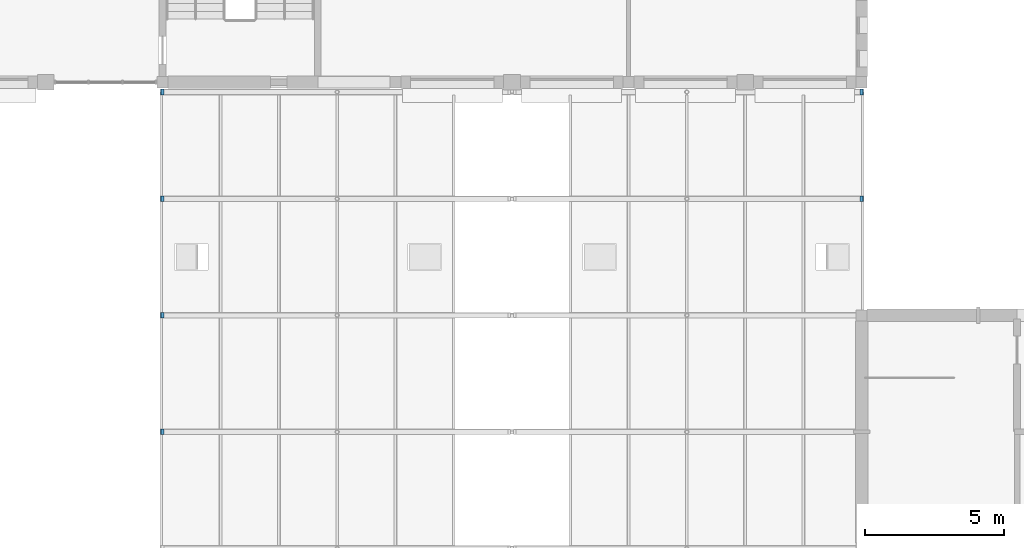
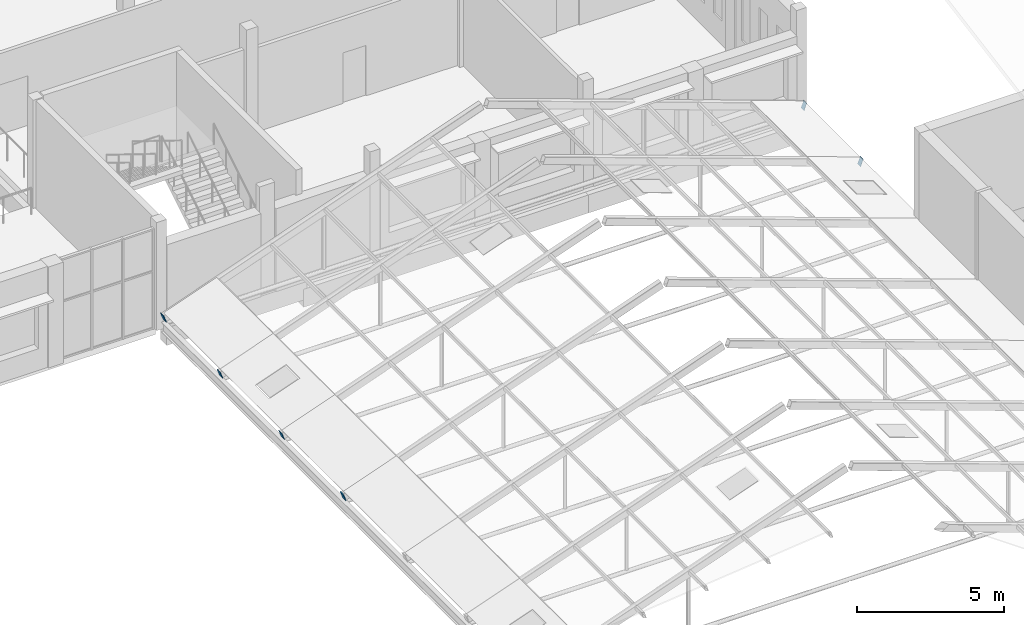
# One storey, part 108 of 116: 6 discrete accessories.
"""IFC4 building model written with IfcOpenShell, lengths in metres."""

import ifcopenshell
import ifcopenshell.guid

model = None  # the IFC model being written
_history = None  # IfcOwnerHistory: only IFC2X3 demands one
_inside = {}  # id of a spatial element -> (the spatial element, [elements in it])
_under = {}  # id of a project, library or spatial element -> (it, [spatial elements below it])
_declared = {}  # id of a project -> (the project, [libraries it declares])
_typed = {}  # id of a type object -> (the type object, [elements of that type])
_made_of = {}  # id of a material, layer set ... -> (it, [elements and type objects made of it])


def new_model(schema):
    """Start an empty IFC model of exactly this schema.

    Asked for "IFC4X3", IfcOpenShell would pick the latest addendum, in which some entities
    have other attributes; the version numbers below select the first issue.
    IFC2X3 requires an IfcOwnerHistory on every rooted entity: one is made here for all.
    """
    global model, _history
    if schema == "IFC4X3":
        model = ifcopenshell.file(schema_version=(4, 3, 0, 0))
    else:
        model = ifcopenshell.file(schema=schema)
    _inside.clear()
    _under.clear()
    _declared.clear()
    _typed.clear()
    _made_of.clear()
    _history = None
    if model.schema == "IFC2X3":
        org = make("IfcOrganization", Name="unknown")
        user = make(
            "IfcPersonAndOrganization",
            ThePerson=make("IfcPerson", FamilyName="unknown"),
            TheOrganization=org,
        )
        app = make(
            "IfcApplication",
            ApplicationDeveloper=org,
            Version="unknown",
            ApplicationFullName="unknown",
            ApplicationIdentifier="unknown",
        )
        _history = make(
            "IfcOwnerHistory",
            OwningUser=user,
            OwningApplication=app,
            ChangeAction="ADDED",
            CreationDate=0,
        )
    return model


def make(cls, **values):
    """One entity of the class cls with the attributes given. An attribute that is None is left unset."""
    return model.create_entity(
        cls, **{name: value for name, value in values.items() if value is not None}
    )


def rooted(cls, **values):
    """An entity with a GlobalId (a new one), such as an element, a storey or a relation."""
    return make(cls, GlobalId=ifcopenshell.guid.new(), OwnerHistory=_history, **values)


def si_unit(unit_type, name, prefix=None):
    """IfcSIUnit, for example si_unit("LENGTHUNIT", "METRE", prefix="MILLI")."""
    return make("IfcSIUnit", UnitType=unit_type, Prefix=prefix, Name=name)


def assignment(units):
    """IfcUnitAssignment: the units of a project."""
    return None if units is None else make("IfcUnitAssignment", Units=units)


def point(xyz):
    """IfcCartesianPoint."""
    return None if xyz is None else make("IfcCartesianPoint", Coordinates=xyz)


def direction(xyz):
    """IfcDirection."""
    return None if xyz is None else make("IfcDirection", DirectionRatios=xyz)


def frame(location, z_axis=None, x_axis=None):
    """IfcAxis2Placement3D, a coordinate frame: its origin and axes. An axis left out is left unset."""
    return make(
        "IfcAxis2Placement3D",
        Location=point(location),
        Axis=direction(z_axis),
        RefDirection=direction(x_axis),
    )


def frame_2d(location, x_axis=None):
    """IfcAxis2Placement2D, a coordinate frame in the plane: its origin and x axis."""
    return make(
        "IfcAxis2Placement2D", Location=point(location), RefDirection=direction(x_axis)
    )


def origin():
    """The frame at (0, 0, 0) with its axes left unset."""
    return frame((0.0, 0.0, 0.0))


def origin_2d():
    """The frame at (0, 0) in the plane with its x axis left unset."""
    return frame_2d((0.0, 0.0))


def place(relative_to, where):
    """IfcLocalPlacement: puts the frame where relative to a parent placement (None: the world)."""
    return make(
        "IfcLocalPlacement", PlacementRelTo=relative_to, RelativePlacement=where
    )


def context(
    kind, dimensions, precision=None, world=None, true_north=None, identifier=None
):
    """IfcGeometricRepresentationContext, for example the 3D "Model" context."""
    return make(
        "IfcGeometricRepresentationContext",
        ContextIdentifier=identifier,
        ContextType=kind,
        CoordinateSpaceDimension=dimensions,
        Precision=precision,
        WorldCoordinateSystem=world,
        TrueNorth=true_north,
    )


def subcontext(parent, identifier, kind, view, scale=None):
    """IfcGeometricRepresentationSubContext, for example "Body" below "Model"."""
    return make(
        "IfcGeometricRepresentationSubContext",
        ContextIdentifier=identifier,
        ContextType=kind,
        ParentContext=parent,
        TargetScale=scale,
        TargetView=view,
    )


def project(units=None, contexts=None):
    """IfcProject with its units and contexts."""
    return rooted(
        "IfcProject",
        Name="project",
        RepresentationContexts=contexts,
        UnitsInContext=assignment(units),
    )


def spatial(cls, under=None, at=None, **own):
    """A site, building, storey or space (cls), placed at a placement, below another one or the project."""
    s = rooted(cls, ObjectPlacement=at, **own)
    if under is not None:
        _under.setdefault(under.id(), (under, []))[1].append(s)
    return s


def profile(cls, at=None, kind="AREA", **sizes):
    """A parametric profile (cls). Its sizes go by their IFC names, for example OverallWidth=200.0."""
    return make(cls, ProfileType=kind, Position=at, **sizes)


def rectangle(**sizes):
    """IfcRectangleProfileDef."""
    return profile("IfcRectangleProfileDef", **sizes)


def extrude(swept, where, along, depth):
    """IfcExtrudedAreaSolid: the profile swept, set in the frame where, extruded along a direction by depth."""
    return make(
        "IfcExtrudedAreaSolid",
        SweptArea=swept,
        Position=where,
        ExtrudedDirection=direction(along),
        Depth=depth,
    )


def shape(context_of_items, identifier, shape_type, items):
    """IfcShapeRepresentation: the items that make up one representation, for example the "Body"."""
    return make(
        "IfcShapeRepresentation",
        ContextOfItems=context_of_items,
        RepresentationIdentifier=identifier,
        RepresentationType=shape_type,
        Items=items,
    )


def material(Name=None, Category=None):
    """IfcMaterial."""
    return make("IfcMaterial", Name=Name, Category=Category)


def material_profile(
    of_material, cross_section, Name=None, Category=None, Priority=None
):
    """IfcMaterialProfile: a cross section and its material."""
    return make(
        "IfcMaterialProfile",
        Name=Name,
        Material=of_material,
        Profile=cross_section,
        Priority=Priority,
        Category=Category,
    )


def profile_set(profiles, Name=None, composite=None):
    """IfcMaterialProfileSet."""
    return make(
        "IfcMaterialProfileSet",
        Name=Name,
        MaterialProfiles=profiles,
        CompositeProfile=composite,
    )


def made_of(thing, what):
    """Note that an element or type object is made of a material, layer set ...; save() writes the relation."""
    if what is not None:
        _made_of.setdefault(what.id(), (what, []))[1].append(thing)
    return thing


def type_object(cls, material=None, **own):
    """A type object (cls), such as IfcWallType, which elements share."""
    return made_of(rooted(cls, **own), material)


def element(
    cls,
    number,
    at=None,
    inside=None,
    cuts=None,
    type_object=None,
    material=None,
    context=None,
    identifier="Body",
    shape_type=None,
    held_by="IfcProductDefinitionShape",
    body=None,
    shapes=None,
    **own,
):
    """One element of the class cls, such as IfcWall. Its Tag is "e" and its number.

    at: its placement. inside: the storey or other place that contains it. cuts: it is an
    opening in that element (IfcRelVoidsElement). A single representation is given by context,
    identifier, shape_type and body (its items); several are given by shapes. held_by: the class
    of the entity that holds the representations. save() writes the other relations.
    """
    e = rooted(cls, Tag="e%d" % number, ObjectPlacement=at, **own)
    if body is not None:
        shapes = [shape(context, identifier, shape_type, body)]
    if shapes is not None:
        e.Representation = make(held_by, Representations=shapes)
    if inside is not None:
        _inside.setdefault(inside.id(), (inside, []))[1].append(e)
    if cuts is not None:
        rooted(
            "IfcRelVoidsElement", RelatingBuildingElement=cuts, RelatedOpeningElement=e
        )
    if type_object is not None:
        _typed.setdefault(type_object.id(), (type_object, []))[1].append(e)
    return made_of(e, material)


def aggregate(whole, parts):
    """IfcRelAggregates: a whole, such as a stair, and the parts it consists of."""
    return rooted("IfcRelAggregates", RelatingObject=whole, RelatedObjects=parts)


def save(model, path):
    """Write the relations noted so far, then the file.

    IfcRelAggregates (storeys below a building ...), IfcRelContainedInSpatialStructure (elements
    in a storey), IfcRelDefinesByType, IfcRelAssociatesMaterial and IfcRelDeclares: one each for
    every whole, place, type object, material and project.
    """
    for whole, parts in _under.values():
        aggregate(whole, parts)
    for where, things in _inside.values():
        rooted(
            "IfcRelContainedInSpatialStructure",
            RelatedElements=things,
            RelatingStructure=where,
        )
    for kind, things in _typed.values():
        rooted("IfcRelDefinesByType", RelatedObjects=things, RelatingType=kind)
    for what, things in _made_of.values():
        rooted("IfcRelAssociatesMaterial", RelatedObjects=things, RelatingMaterial=what)
    for by, libraries in _declared.values():
        rooted("IfcRelDeclares", RelatingContext=by, RelatedDefinitions=libraries)
    model.write(path)


model = new_model("IFC4")

# Units and contexts
model_context = context("Model", 3, precision=1e-05, world=origin(), true_north=direction((0.0, 1.0)))
body_context = subcontext(model_context, "Body", "Model", "MODEL_VIEW")
ifc_project = project(units=[si_unit("LENGTHUNIT", "METRE"), si_unit("AREAUNIT", "SQUARE_METRE"), si_unit("VOLUMEUNIT", "CUBIC_METRE"), si_unit("PLANEANGLEUNIT", "RADIAN"), si_unit("MASSUNIT", "GRAM", prefix="KILO")], contexts=[model_context])

# Site, building, storey
site_placement = place(None, origin())
site = spatial("IfcSite", under=ifc_project, at=site_placement, CompositionType="ELEMENT")
building_placement = place(site_placement, origin())
building = spatial("IfcBuilding", under=site, at=building_placement, Name="Fescue Hill Polytechnic", CompositionType="ELEMENT")
storey_placement = place(building_placement, frame((0.0, 0.0, 13.5)))
storey = spatial("IfcBuildingStorey", under=building, at=storey_placement, Name="L03", CompositionType="ELEMENT", Elevation=13.5)

# Discrete accessories
ifc_material = material(Name="Steel 350W (350 MPa)", Category="steel")
ifc_material_profile = material_profile(ifc_material, rectangle(XDim=0.203125, YDim=0.3046875, at=origin_2d()), Name="Winter garden rafter end plate 12")
ifc_profile_set = profile_set([ifc_material_profile], Name="Steel 350W (350 MPa)")
discrete_accessory_type = type_object("IfcDiscreteAccessoryType", Name="Winter garden rafter end plate 12", PredefinedType="BRACKET", material=ifc_profile_set)
for number, where, z_axis, x_axis, name in (
    (1, (92.388671875, 96.60009765625, 0.57470703125), (0.937994498829, 0.0, 0.346650140872), (0.0, 1.0, 0.0), "Winter garden rafter W12 eaves end plate"),
    (2, (92.388671875, 100.800048828125, 0.57470703125), (0.937994498829, 0.0, 0.346650140872), (0.0, 1.0, 0.0), "Winter garden rafter W13 eaves end plate"),
    (3, (92.388671875, 105.0, 0.57470703125), (0.937994498829, 0.0, 0.346650140872), (0.0, 1.0, 0.0), "Winter garden rafter W14 eaves end plate"),
    (4, (117.611328125, 105.0, 0.57470703125), (-0.937994498829, 0.0, 0.346650140872), (0.0, -1.0, 0.0), "Winter garden rafter E14 eaves end plate"),
    (5, (92.388671875, 108.85009765625, 0.57470703125), (0.937994498829, 0.0, 0.346650140872), (0.0, 1.0, 0.0), "Winter garden rafter W15 eaves end plate"),
    (6, (117.611328125, 108.85009765625, 0.57470703125), (-0.937994498829, 0.0, 0.346650140872), (0.0, -1.0, 0.0), "Winter garden rafter E15 eaves end plate"),
):
    element("IfcDiscreteAccessory", number, at=place(storey_placement, frame(where, z_axis=z_axis, x_axis=x_axis)), inside=storey, type_object=discrete_accessory_type, Name=name, PredefinedType="BRACKET", context=body_context, shape_type="SweptSolid", body=[
        extrude(rectangle(XDim=0.203125, YDim=0.3046875, at=origin_2d()), origin(), (0.0, 0.0, 1.0), 0.011962890625),
    ])

save(model, "model.ifc")
